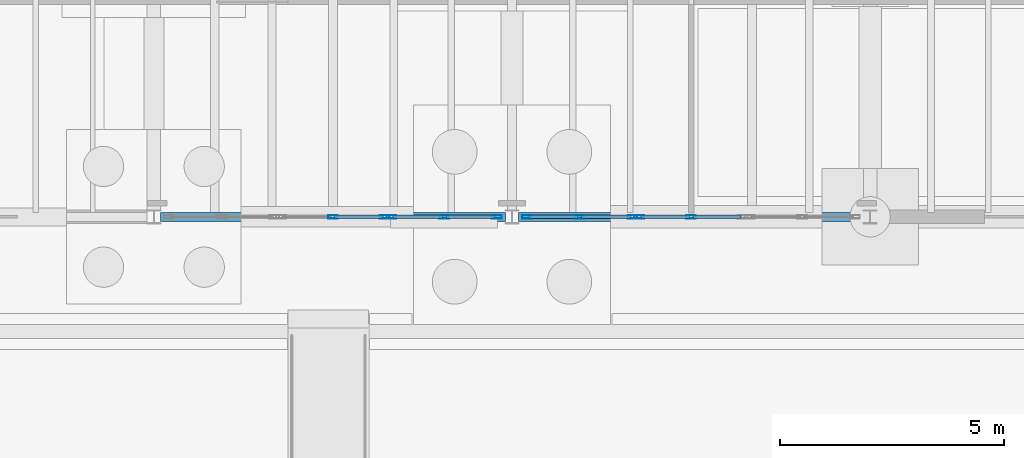
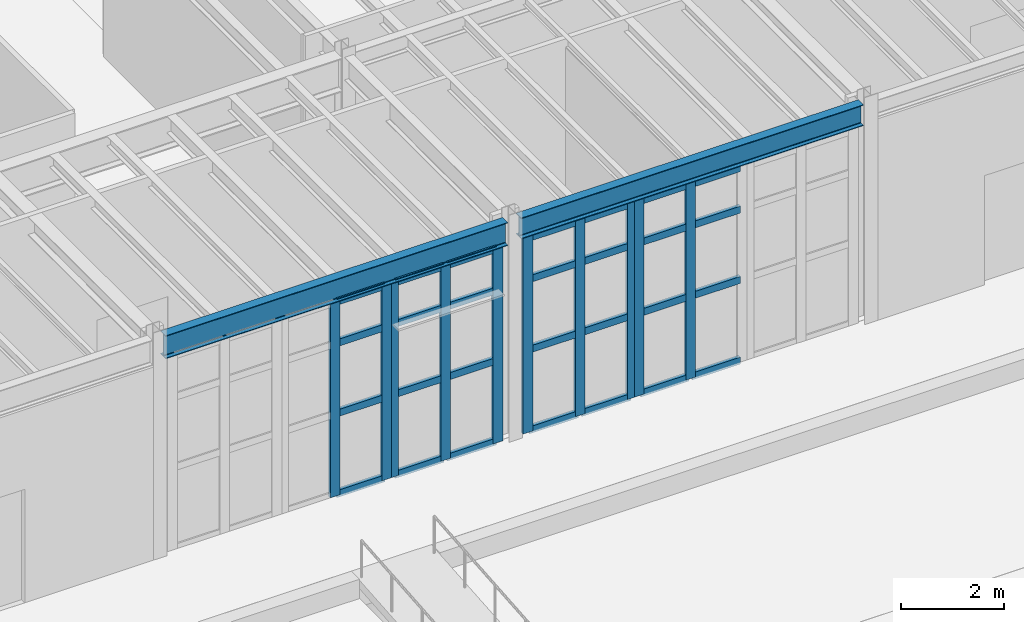
# One storey, part 22 of 86: 38 members, 2 beams, 4 elements without a shape of their own.
"""IFC4 building model written with IfcOpenShell, lengths in metres."""

from ifc_helpers import new_model, si_unit, direction, frame, origin, origin_2d, place, context, subcontext, project, spatial, hollow_rectangle, i_section, extrude, material, material_profile, profile_set, type_object, element, aggregate, save


model = new_model("IFC4")

# Units and contexts
model_context = context("Model", 3, precision=1e-05, world=origin(), true_north=direction((0.0, 1.0)))
body_context = subcontext(model_context, "Body", "Model", "MODEL_VIEW")
ifc_project = project(units=[si_unit("LENGTHUNIT", "METRE"), si_unit("AREAUNIT", "SQUARE_METRE"), si_unit("VOLUMEUNIT", "CUBIC_METRE"), si_unit("PLANEANGLEUNIT", "RADIAN"), si_unit("MASSUNIT", "GRAM", prefix="KILO"), si_unit("THERMODYNAMICTEMPERATUREUNIT", "KELVIN"), si_unit("POWERUNIT", "WATT")], contexts=[model_context])

# Site, building, storey
site_placement = place(None, origin())
site = spatial("IfcSite", under=ifc_project, at=site_placement, CompositionType="ELEMENT")
building_placement = place(site_placement, origin())
building = spatial("IfcBuilding", under=site, at=building_placement, Name="Zhenchuan Central Fire Station", CompositionType="ELEMENT")
storey_placement = place(building_placement, frame((0.0, 0.0, 0.449951171875)))
storey = spatial("IfcBuildingStorey", under=building, at=storey_placement, Name="L01", CompositionType="ELEMENT", Elevation=0.449951171875)

# Beams
ifc_material_1 = material(Name="Steel Q355B", Category="steel")
ifc_material_profile_1 = material_profile(ifc_material_1, i_section(OverallWidth=0.199951171875, OverallDepth=0.5, WebThickness=0.010009765625, FlangeThickness=0.01611328125, FilletRadius=0.02001953125, at=origin_2d()), Name="HN 500x200")
ifc_profile_set_1 = profile_set([ifc_material_profile_1], Name="Steel Q355B")
beam_type_1 = type_object("IfcBeamType", Name="BM-HN500", PredefinedType="BEAM", material=ifc_profile_set_1)
beam_1_placement = place(storey_placement, frame((24.14990234375, 0.0, 4.949951171875), z_axis=(1.0, 0.0, 0.0), x_axis=(0.0, 1.0, 0.0)))
element("IfcBeam", 1, at=beam_1_placement, inside=storey, type_object=beam_type_1, Name="L02 Girder EW 0004", PredefinedType="BEAM", context=body_context, shape_type="SweptSolid", body=[
    extrude(i_section(OverallWidth=0.199951171875, OverallDepth=0.5, WebThickness=0.010009765625, FlangeThickness=0.01611328125, FilletRadius=0.02001953125, at=origin_2d()), origin(), (0.0, 0.0, 1.0), 7.7001953125),
])
ifc_material_profile_2 = material_profile(ifc_material_1, i_section(OverallWidth=0.199951171875, OverallDepth=0.550048828125, WebThickness=0.010009765625, FlangeThickness=0.01611328125, FilletRadius=0.02001953125, at=origin_2d()), Name="HN 550x200")
ifc_profile_set_2 = profile_set([ifc_material_profile_2], Name="Steel Q355B")
beam_type_2 = type_object("IfcBeamType", Name="BM-HN550", PredefinedType="BEAM", material=ifc_profile_set_2)
beam_2_placement = place(storey_placement, frame((16.14990234375, 0.0, 4.925048828125), z_axis=(1.0, 0.0, 0.0), x_axis=(0.0, 1.0, 0.0)))
element("IfcBeam", 2, at=beam_2_placement, inside=storey, type_object=beam_type_2, Name="L02 Girder EW 0003", PredefinedType="BEAM", context=body_context, shape_type="SweptSolid", body=[
    extrude(i_section(OverallWidth=0.199951171875, OverallDepth=0.550048828125, WebThickness=0.010009765625, FlangeThickness=0.01611328125, FilletRadius=0.02001953125, at=origin_2d()), origin(), (0.0, 0.0, 1.0), 7.7001953125),
])

# Curtain wall, members
ifc_material_2 = material(Name="Anodised aluminium and low-E glazing", Category="aluminium")
curtain_wall_type_1 = type_object("IfcCurtainWallType", Name="CW-MOD-15", PredefinedType="USERDEFINED", material=ifc_material_2)
curtain_wall_1_placement = place(storey_placement, origin())
curtain_wall_1 = element("IfcCurtainWall", 3, at=curtain_wall_1_placement, inside=storey, type_object=curtain_wall_type_1, Name="L01 Unitised Curtain Wall 017", ObjectType="UNITISED GLAZING", PredefinedType="USERDEFINED")
ifc_material_3 = material(Name="Anodised aluminium EN AW-6063", Category="aluminium")
ifc_material_profile_3 = material_profile(ifc_material_3, hollow_rectangle(XDim=0.080078125, YDim=0.219970703125, WallThickness=0.005615234375, at=origin_2d()), Name="ALU-M 220x80")
ifc_profile_set_3 = profile_set([ifc_material_profile_3], Name="Anodised aluminium EN AW-6063")
member_type_1 = type_object("IfcMemberType", Name="CW-MUL200", PredefinedType="MULLION", material=ifc_profile_set_3)
member_1_placement = place(storey_placement, frame((20.0, 0.0, -0.00390625), z_axis=(0.0, 0.0, 1.0), x_axis=(0.0, 1.0, 0.0)))
member_1 = element("IfcMember", 4, at=member_1_placement, type_object=member_type_1, Name="CW-15 mullion 2", PredefinedType="MULLION", context=body_context, shape_type="SweptSolid", body=[
    extrude(hollow_rectangle(XDim=0.080078125, YDim=0.219970703125, WallThickness=0.005615234375, at=origin_2d()), origin(), (0.0, 0.0, 1.0), 4.64794921875),
])
member_2_placement = place(storey_placement, frame((21.15771484375, 0.0, -0.00390625), z_axis=(0.0, 0.0, 1.0), x_axis=(0.0, 1.0, 0.0)))
member_2 = element("IfcMember", 5, at=member_2_placement, type_object=member_type_1, Name="CW-15 mullion 3", PredefinedType="MULLION", context=body_context, shape_type="SweptSolid", body=[
    extrude(hollow_rectangle(XDim=0.080078125, YDim=0.219970703125, WallThickness=0.005615234375, at=origin_2d()), origin(), (0.0, 0.0, 1.0), 4.64794921875),
])

curtain_wall_type_2 = type_object("IfcCurtainWallType", Name="CW-MOD-16", PredefinedType="USERDEFINED", material=ifc_material_2)
curtain_wall_2_placement = place(storey_placement, origin())
curtain_wall_2 = element("IfcCurtainWall", 6, at=curtain_wall_2_placement, inside=storey, type_object=curtain_wall_type_2, Name="L01 Unitised Curtain Wall 018", ObjectType="UNITISED GLAZING", PredefinedType="USERDEFINED")
member_3_placement = place(storey_placement, frame((21.308837890625, 0.0, -0.00390625), z_axis=(0.0, 0.0, 1.0), x_axis=(0.0, 1.0, 0.0)))
member_3 = element("IfcMember", 7, at=member_3_placement, type_object=member_type_1, Name="CW-16 mullion 1", PredefinedType="MULLION", context=body_context, shape_type="SweptSolid", body=[
    extrude(hollow_rectangle(XDim=0.080078125, YDim=0.219970703125, WallThickness=0.005615234375, at=origin_2d()), origin(), (0.0, 0.0, 1.0), 4.64794921875),
])
member_4_placement = place(storey_placement, frame((22.485595703125, 0.0, -0.00390625), z_axis=(0.0, 0.0, 1.0), x_axis=(0.0, 1.0, 0.0)))
member_4 = element("IfcMember", 8, at=member_4_placement, type_object=member_type_1, Name="CW-16 mullion 2", PredefinedType="MULLION", context=body_context, shape_type="SweptSolid", body=[
    extrude(hollow_rectangle(XDim=0.080078125, YDim=0.219970703125, WallThickness=0.005615234375, at=origin_2d()), origin(), (0.0, 0.0, 1.0), 4.64794921875),
])
member_5_placement = place(storey_placement, frame((23.66259765625, 0.0, -0.00390625), z_axis=(0.0, 0.0, 1.0), x_axis=(0.0, 1.0, 0.0)))
member_5 = element("IfcMember", 9, at=member_5_placement, type_object=member_type_1, Name="CW-16 mullion 3", PredefinedType="MULLION", context=body_context, shape_type="SweptSolid", body=[
    extrude(hollow_rectangle(XDim=0.080078125, YDim=0.219970703125, WallThickness=0.005615234375, at=origin_2d()), origin(), (0.0, 0.0, 1.0), 4.64794921875),
])

curtain_wall_3_placement = place(storey_placement, origin())
curtain_wall_3 = element("IfcCurtainWall", 10, at=curtain_wall_3_placement, inside=storey, type_object=curtain_wall_type_1, Name="L01 Unitised Curtain Wall 019", ObjectType="UNITISED GLAZING", PredefinedType="USERDEFINED")
member_6_placement = place(storey_placement, frame((24.33740234375, 0.0, -0.00390625), z_axis=(0.0, 0.0, 1.0), x_axis=(0.0, 1.0, 0.0)))
member_6 = element("IfcMember", 11, at=member_6_placement, type_object=member_type_1, Name="CW-15 mullion 1", PredefinedType="MULLION", context=body_context, shape_type="SweptSolid", body=[
    extrude(hollow_rectangle(XDim=0.080078125, YDim=0.219970703125, WallThickness=0.005615234375, at=origin_2d()), origin(), (0.0, 0.0, 1.0), 4.654052734375),
])
member_7_placement = place(storey_placement, frame((25.514404296875, 0.0, -0.00390625), z_axis=(0.0, 0.0, 1.0), x_axis=(0.0, 1.0, 0.0)))
member_7 = element("IfcMember", 12, at=member_7_placement, type_object=member_type_1, Name="CW-15 mullion 2", PredefinedType="MULLION", context=body_context, shape_type="SweptSolid", body=[
    extrude(hollow_rectangle(XDim=0.080078125, YDim=0.219970703125, WallThickness=0.005615234375, at=origin_2d()), origin(), (0.0, 0.0, 1.0), 4.654052734375),
])
member_8_placement = place(storey_placement, frame((26.691162109375, 0.0, -0.00390625), z_axis=(0.0, 0.0, 1.0), x_axis=(0.0, 1.0, 0.0)))
member_8 = element("IfcMember", 13, at=member_8_placement, type_object=member_type_1, Name="CW-15 mullion 3", PredefinedType="MULLION", context=body_context, shape_type="SweptSolid", body=[
    extrude(hollow_rectangle(XDim=0.080078125, YDim=0.219970703125, WallThickness=0.005615234375, at=origin_2d()), origin(), (0.0, 0.0, 1.0), 4.654052734375),
])

curtain_wall_4_placement = place(storey_placement, origin())
curtain_wall_4 = element("IfcCurtainWall", 14, at=curtain_wall_4_placement, inside=storey, type_object=curtain_wall_type_2, Name="L01 Unitised Curtain Wall 020", ObjectType="UNITISED GLAZING", PredefinedType="USERDEFINED")
member_9_placement = place(storey_placement, frame((26.84228515625, 0.0, -0.00390625), z_axis=(0.0, 0.0, 1.0), x_axis=(0.0, 1.0, 0.0)))
member_9 = element("IfcMember", 15, at=member_9_placement, type_object=member_type_1, Name="CW-16 mullion 1", PredefinedType="MULLION", context=body_context, shape_type="SweptSolid", body=[
    extrude(hollow_rectangle(XDim=0.080078125, YDim=0.219970703125, WallThickness=0.005615234375, at=origin_2d()), origin(), (0.0, 0.0, 1.0), 4.654052734375),
])
member_10_placement = place(storey_placement, frame((28.0, 0.0, -0.00390625), z_axis=(0.0, 0.0, 1.0), x_axis=(0.0, 1.0, 0.0)))
member_10 = element("IfcMember", 16, at=member_10_placement, type_object=member_type_1, Name="CW-16 mullion 2", PredefinedType="MULLION", context=body_context, shape_type="SweptSolid", body=[
    extrude(hollow_rectangle(XDim=0.080078125, YDim=0.219970703125, WallThickness=0.005615234375, at=origin_2d()), origin(), (0.0, 0.0, 1.0), 4.654052734375),
])

# Member
ifc_material_profile_4 = material_profile(ifc_material_3, hollow_rectangle(XDim=0.080078125, YDim=0.1650390625, WallThickness=0.0048828125, at=origin_2d()), Name="ALU-T 165x80")
ifc_profile_set_4 = profile_set([ifc_material_profile_4], Name="Anodised aluminium EN AW-6063")
member_type_2 = type_object("IfcMemberType", Name="CW-TRN150", PredefinedType="NOTDEFINED", material=ifc_profile_set_4)
member_11_placement = place(storey_placement, frame((20.03759765625, 0.0, 0.033447265625), z_axis=(1.0, 0.0, 0.0), x_axis=(0.0, 1.0, 0.0)))
member_11 = element("IfcMember", 17, at=member_11_placement, type_object=member_type_2, Name="CW-15 transom 2.1", ObjectType="TRANSOM", PredefinedType="USERDEFINED", context=body_context, shape_type="SweptSolid", body=[
    extrude(hollow_rectangle(XDim=0.080078125, YDim=0.1650390625, WallThickness=0.0048828125, at=origin_2d()), origin(), (0.0, 0.0, 1.0), 1.082763671875),
])

member_12_placement = place(storey_placement, frame((20.03759765625, 0.0, 1.950439453125), z_axis=(1.0, 0.0, 0.0), x_axis=(0.0, 1.0, 0.0)))
member_12 = element("IfcMember", 18, at=member_12_placement, type_object=member_type_2, Name="CW-15 transom 2.2", ObjectType="TRANSOM", PredefinedType="USERDEFINED", context=body_context, shape_type="SweptSolid", body=[
    extrude(hollow_rectangle(XDim=0.080078125, YDim=0.1650390625, WallThickness=0.0048828125, at=origin_2d()), origin(), (0.0, 0.0, 1.0), 1.082763671875),
])

member_13_placement = place(storey_placement, frame((20.03759765625, 0.0, 3.622314453125), z_axis=(1.0, 0.0, 0.0), x_axis=(0.0, 1.0, 0.0)))
member_13 = element("IfcMember", 19, at=member_13_placement, type_object=member_type_2, Name="CW-15 transom 2.3", ObjectType="TRANSOM", PredefinedType="USERDEFINED", context=body_context, shape_type="SweptSolid", body=[
    extrude(hollow_rectangle(XDim=0.080078125, YDim=0.1650390625, WallThickness=0.0048828125, at=origin_2d()), origin(), (0.0, 0.0, 1.0), 1.082763671875),
])

member_14_placement = place(storey_placement, frame((20.03759765625, 0.0, 4.6064453125), z_axis=(1.0, 0.0, 0.0), x_axis=(0.0, 1.0, 0.0)))
member_14 = element("IfcMember", 20, at=member_14_placement, type_object=member_type_2, Name="CW-15 transom 2.4", ObjectType="TRANSOM", PredefinedType="USERDEFINED", context=body_context, shape_type="SweptSolid", body=[
    extrude(hollow_rectangle(XDim=0.080078125, YDim=0.1650390625, WallThickness=0.0048828125, at=origin_2d()), origin(), (0.0, 0.0, 1.0), 1.082763671875),
])

aggregate(curtain_wall_1, [member_1, member_2, member_11, member_12, member_13, member_14])

member_15_placement = place(storey_placement, frame((21.34619140625, 0.0, 0.033447265625), z_axis=(1.0, 0.0, 0.0), x_axis=(0.0, 1.0, 0.0)))
member_15 = element("IfcMember", 21, at=member_15_placement, type_object=member_type_2, Name="CW-16 transom 1.1", ObjectType="TRANSOM", PredefinedType="USERDEFINED", context=body_context, shape_type="SweptSolid", body=[
    extrude(hollow_rectangle(XDim=0.080078125, YDim=0.1650390625, WallThickness=0.0048828125, at=origin_2d()), origin(), (0.0, 0.0, 1.0), 1.10205078125),
])

member_16_placement = place(storey_placement, frame((21.34619140625, 0.0, 1.950439453125), z_axis=(1.0, 0.0, 0.0), x_axis=(0.0, 1.0, 0.0)))
member_16 = element("IfcMember", 22, at=member_16_placement, type_object=member_type_2, Name="CW-16 transom 1.2", ObjectType="TRANSOM", PredefinedType="USERDEFINED", context=body_context, shape_type="SweptSolid", body=[
    extrude(hollow_rectangle(XDim=0.080078125, YDim=0.1650390625, WallThickness=0.0048828125, at=origin_2d()), origin(), (0.0, 0.0, 1.0), 1.10205078125),
])

member_17_placement = place(storey_placement, frame((21.34619140625, 0.0, 3.622314453125), z_axis=(1.0, 0.0, 0.0), x_axis=(0.0, 1.0, 0.0)))
member_17 = element("IfcMember", 23, at=member_17_placement, type_object=member_type_2, Name="CW-16 transom 1.3", ObjectType="TRANSOM", PredefinedType="USERDEFINED", context=body_context, shape_type="SweptSolid", body=[
    extrude(hollow_rectangle(XDim=0.080078125, YDim=0.1650390625, WallThickness=0.0048828125, at=origin_2d()), origin(), (0.0, 0.0, 1.0), 1.10205078125),
])

member_18_placement = place(storey_placement, frame((21.34619140625, 0.0, 4.6064453125), z_axis=(1.0, 0.0, 0.0), x_axis=(0.0, 1.0, 0.0)))
member_18 = element("IfcMember", 24, at=member_18_placement, type_object=member_type_2, Name="CW-16 transom 1.4", ObjectType="TRANSOM", PredefinedType="USERDEFINED", context=body_context, shape_type="SweptSolid", body=[
    extrude(hollow_rectangle(XDim=0.080078125, YDim=0.1650390625, WallThickness=0.0048828125, at=origin_2d()), origin(), (0.0, 0.0, 1.0), 1.10205078125),
])

member_19_placement = place(storey_placement, frame((22.523193359375, 0.0, 0.033447265625), z_axis=(1.0, 0.0, 0.0), x_axis=(0.0, 1.0, 0.0)))
member_19 = element("IfcMember", 25, at=member_19_placement, type_object=member_type_2, Name="CW-16 transom 2.1", ObjectType="TRANSOM", PredefinedType="USERDEFINED", context=body_context, shape_type="SweptSolid", body=[
    extrude(hollow_rectangle(XDim=0.080078125, YDim=0.1650390625, WallThickness=0.0048828125, at=origin_2d()), origin(), (0.0, 0.0, 1.0), 1.101806640625),
])

member_20_placement = place(storey_placement, frame((22.523193359375, 0.0, 1.950439453125), z_axis=(1.0, 0.0, 0.0), x_axis=(0.0, 1.0, 0.0)))
member_20 = element("IfcMember", 26, at=member_20_placement, type_object=member_type_2, Name="CW-16 transom 2.2", ObjectType="TRANSOM", PredefinedType="USERDEFINED", context=body_context, shape_type="SweptSolid", body=[
    extrude(hollow_rectangle(XDim=0.080078125, YDim=0.1650390625, WallThickness=0.0048828125, at=origin_2d()), origin(), (0.0, 0.0, 1.0), 1.101806640625),
])

member_21_placement = place(storey_placement, frame((22.523193359375, 0.0, 3.622314453125), z_axis=(1.0, 0.0, 0.0), x_axis=(0.0, 1.0, 0.0)))
member_21 = element("IfcMember", 27, at=member_21_placement, type_object=member_type_2, Name="CW-16 transom 2.3", ObjectType="TRANSOM", PredefinedType="USERDEFINED", context=body_context, shape_type="SweptSolid", body=[
    extrude(hollow_rectangle(XDim=0.080078125, YDim=0.1650390625, WallThickness=0.0048828125, at=origin_2d()), origin(), (0.0, 0.0, 1.0), 1.101806640625),
])

member_22_placement = place(storey_placement, frame((22.523193359375, 0.0, 4.6064453125), z_axis=(1.0, 0.0, 0.0), x_axis=(0.0, 1.0, 0.0)))
member_22 = element("IfcMember", 28, at=member_22_placement, type_object=member_type_2, Name="CW-16 transom 2.4", ObjectType="TRANSOM", PredefinedType="USERDEFINED", context=body_context, shape_type="SweptSolid", body=[
    extrude(hollow_rectangle(XDim=0.080078125, YDim=0.1650390625, WallThickness=0.0048828125, at=origin_2d()), origin(), (0.0, 0.0, 1.0), 1.101806640625),
])

aggregate(curtain_wall_2, [member_3, member_4, member_5, member_15, member_16, member_17, member_18, member_19, member_20, member_21, member_22])

member_23_placement = place(storey_placement, frame((24.375, 0.0, 0.033447265625), z_axis=(1.0, 0.0, 0.0), x_axis=(0.0, 1.0, 0.0)))
member_23 = element("IfcMember", 29, at=member_23_placement, type_object=member_type_2, Name="CW-15 transom 1.1", ObjectType="TRANSOM", PredefinedType="USERDEFINED", context=body_context, shape_type="SweptSolid", body=[
    extrude(hollow_rectangle(XDim=0.080078125, YDim=0.1650390625, WallThickness=0.0048828125, at=origin_2d()), origin(), (0.0, 0.0, 1.0), 1.101806640625),
])

member_24_placement = place(storey_placement, frame((24.375, 0.0, 1.953125), z_axis=(1.0, 0.0, 0.0), x_axis=(0.0, 1.0, 0.0)))
member_24 = element("IfcMember", 30, at=member_24_placement, type_object=member_type_2, Name="CW-15 transom 1.2", ObjectType="TRANSOM", PredefinedType="USERDEFINED", context=body_context, shape_type="SweptSolid", body=[
    extrude(hollow_rectangle(XDim=0.080078125, YDim=0.1650390625, WallThickness=0.0048828125, at=origin_2d()), origin(), (0.0, 0.0, 1.0), 1.101806640625),
])

member_25_placement = place(storey_placement, frame((24.375, 0.0, 3.626953125), z_axis=(1.0, 0.0, 0.0), x_axis=(0.0, 1.0, 0.0)))
member_25 = element("IfcMember", 31, at=member_25_placement, type_object=member_type_2, Name="CW-15 transom 1.3", ObjectType="TRANSOM", PredefinedType="USERDEFINED", context=body_context, shape_type="SweptSolid", body=[
    extrude(hollow_rectangle(XDim=0.080078125, YDim=0.1650390625, WallThickness=0.0048828125, at=origin_2d()), origin(), (0.0, 0.0, 1.0), 1.101806640625),
])

member_26_placement = place(storey_placement, frame((24.375, 0.0, 4.612548828125), z_axis=(1.0, 0.0, 0.0), x_axis=(0.0, 1.0, 0.0)))
member_26 = element("IfcMember", 32, at=member_26_placement, type_object=member_type_2, Name="CW-15 transom 1.4", ObjectType="TRANSOM", PredefinedType="USERDEFINED", context=body_context, shape_type="SweptSolid", body=[
    extrude(hollow_rectangle(XDim=0.080078125, YDim=0.1650390625, WallThickness=0.0048828125, at=origin_2d()), origin(), (0.0, 0.0, 1.0), 1.101806640625),
])

member_27_placement = place(storey_placement, frame((25.5517578125, 0.0, 0.033447265625), z_axis=(1.0, 0.0, 0.0), x_axis=(0.0, 1.0, 0.0)))
member_27 = element("IfcMember", 33, at=member_27_placement, type_object=member_type_2, Name="CW-15 transom 2.1", ObjectType="TRANSOM", PredefinedType="USERDEFINED", context=body_context, shape_type="SweptSolid", body=[
    extrude(hollow_rectangle(XDim=0.080078125, YDim=0.1650390625, WallThickness=0.0048828125, at=origin_2d()), origin(), (0.0, 0.0, 1.0), 1.10205078125),
])

member_28_placement = place(storey_placement, frame((25.5517578125, 0.0, 1.953125), z_axis=(1.0, 0.0, 0.0), x_axis=(0.0, 1.0, 0.0)))
member_28 = element("IfcMember", 34, at=member_28_placement, type_object=member_type_2, Name="CW-15 transom 2.2", ObjectType="TRANSOM", PredefinedType="USERDEFINED", context=body_context, shape_type="SweptSolid", body=[
    extrude(hollow_rectangle(XDim=0.080078125, YDim=0.1650390625, WallThickness=0.0048828125, at=origin_2d()), origin(), (0.0, 0.0, 1.0), 1.10205078125),
])

member_29_placement = place(storey_placement, frame((25.5517578125, 0.0, 3.626953125), z_axis=(1.0, 0.0, 0.0), x_axis=(0.0, 1.0, 0.0)))
member_29 = element("IfcMember", 35, at=member_29_placement, type_object=member_type_2, Name="CW-15 transom 2.3", ObjectType="TRANSOM", PredefinedType="USERDEFINED", context=body_context, shape_type="SweptSolid", body=[
    extrude(hollow_rectangle(XDim=0.080078125, YDim=0.1650390625, WallThickness=0.0048828125, at=origin_2d()), origin(), (0.0, 0.0, 1.0), 1.10205078125),
])

member_30_placement = place(storey_placement, frame((25.5517578125, 0.0, 4.612548828125), z_axis=(1.0, 0.0, 0.0), x_axis=(0.0, 1.0, 0.0)))
member_30 = element("IfcMember", 36, at=member_30_placement, type_object=member_type_2, Name="CW-15 transom 2.4", ObjectType="TRANSOM", PredefinedType="USERDEFINED", context=body_context, shape_type="SweptSolid", body=[
    extrude(hollow_rectangle(XDim=0.080078125, YDim=0.1650390625, WallThickness=0.0048828125, at=origin_2d()), origin(), (0.0, 0.0, 1.0), 1.10205078125),
])

aggregate(curtain_wall_3, [member_6, member_7, member_8, member_23, member_24, member_25, member_26, member_27, member_28, member_29, member_30])

member_31_placement = place(storey_placement, frame((26.879638671875, 0.0, 0.033447265625), z_axis=(1.0, 0.0, 0.0), x_axis=(0.0, 1.0, 0.0)))
member_31 = element("IfcMember", 37, at=member_31_placement, type_object=member_type_2, Name="CW-16 transom 1.1", ObjectType="TRANSOM", PredefinedType="USERDEFINED", context=body_context, shape_type="SweptSolid", body=[
    extrude(hollow_rectangle(XDim=0.080078125, YDim=0.1650390625, WallThickness=0.0048828125, at=origin_2d()), origin(), (0.0, 0.0, 1.0), 1.082763671875),
])

member_32_placement = place(storey_placement, frame((26.879638671875, 0.0, 1.953125), z_axis=(1.0, 0.0, 0.0), x_axis=(0.0, 1.0, 0.0)))
member_32 = element("IfcMember", 38, at=member_32_placement, type_object=member_type_2, Name="CW-16 transom 1.2", ObjectType="TRANSOM", PredefinedType="USERDEFINED", context=body_context, shape_type="SweptSolid", body=[
    extrude(hollow_rectangle(XDim=0.080078125, YDim=0.1650390625, WallThickness=0.0048828125, at=origin_2d()), origin(), (0.0, 0.0, 1.0), 1.082763671875),
])

member_33_placement = place(storey_placement, frame((26.879638671875, 0.0, 3.626953125), z_axis=(1.0, 0.0, 0.0), x_axis=(0.0, 1.0, 0.0)))
member_33 = element("IfcMember", 39, at=member_33_placement, type_object=member_type_2, Name="CW-16 transom 1.3", ObjectType="TRANSOM", PredefinedType="USERDEFINED", context=body_context, shape_type="SweptSolid", body=[
    extrude(hollow_rectangle(XDim=0.080078125, YDim=0.1650390625, WallThickness=0.0048828125, at=origin_2d()), origin(), (0.0, 0.0, 1.0), 1.082763671875),
])

member_34_placement = place(storey_placement, frame((26.879638671875, 0.0, 4.612548828125), z_axis=(1.0, 0.0, 0.0), x_axis=(0.0, 1.0, 0.0)))
member_34 = element("IfcMember", 40, at=member_34_placement, type_object=member_type_2, Name="CW-16 transom 1.4", ObjectType="TRANSOM", PredefinedType="USERDEFINED", context=body_context, shape_type="SweptSolid", body=[
    extrude(hollow_rectangle(XDim=0.080078125, YDim=0.1650390625, WallThickness=0.0048828125, at=origin_2d()), origin(), (0.0, 0.0, 1.0), 1.082763671875),
])

member_35_placement = place(storey_placement, frame((28.03759765625, 0.0, 0.033447265625), z_axis=(1.0, 0.0, 0.0), x_axis=(0.0, 1.0, 0.0)))
member_35 = element("IfcMember", 41, at=member_35_placement, type_object=member_type_2, Name="CW-16 transom 2.1", ObjectType="TRANSOM", PredefinedType="USERDEFINED", context=body_context, shape_type="SweptSolid", body=[
    extrude(hollow_rectangle(XDim=0.080078125, YDim=0.1650390625, WallThickness=0.0048828125, at=origin_2d()), origin(), (0.0, 0.0, 1.0), 1.082763671875),
])

member_36_placement = place(storey_placement, frame((28.03759765625, 0.0, 1.953125), z_axis=(1.0, 0.0, 0.0), x_axis=(0.0, 1.0, 0.0)))
member_36 = element("IfcMember", 42, at=member_36_placement, type_object=member_type_2, Name="CW-16 transom 2.2", ObjectType="TRANSOM", PredefinedType="USERDEFINED", context=body_context, shape_type="SweptSolid", body=[
    extrude(hollow_rectangle(XDim=0.080078125, YDim=0.1650390625, WallThickness=0.0048828125, at=origin_2d()), origin(), (0.0, 0.0, 1.0), 1.082763671875),
])

member_37_placement = place(storey_placement, frame((28.03759765625, 0.0, 3.626953125), z_axis=(1.0, 0.0, 0.0), x_axis=(0.0, 1.0, 0.0)))
member_37 = element("IfcMember", 43, at=member_37_placement, type_object=member_type_2, Name="CW-16 transom 2.3", ObjectType="TRANSOM", PredefinedType="USERDEFINED", context=body_context, shape_type="SweptSolid", body=[
    extrude(hollow_rectangle(XDim=0.080078125, YDim=0.1650390625, WallThickness=0.0048828125, at=origin_2d()), origin(), (0.0, 0.0, 1.0), 1.082763671875),
])

member_38_placement = place(storey_placement, frame((28.03759765625, 0.0, 4.612548828125), z_axis=(1.0, 0.0, 0.0), x_axis=(0.0, 1.0, 0.0)))
member_38 = element("IfcMember", 44, at=member_38_placement, type_object=member_type_2, Name="CW-16 transom 2.4", ObjectType="TRANSOM", PredefinedType="USERDEFINED", context=body_context, shape_type="SweptSolid", body=[
    extrude(hollow_rectangle(XDim=0.080078125, YDim=0.1650390625, WallThickness=0.0048828125, at=origin_2d()), origin(), (0.0, 0.0, 1.0), 1.082763671875),
])

aggregate(curtain_wall_4, [member_9, member_10, member_31, member_32, member_33, member_34, member_35, member_36, member_37, member_38])

save(model, "model.ifc")
